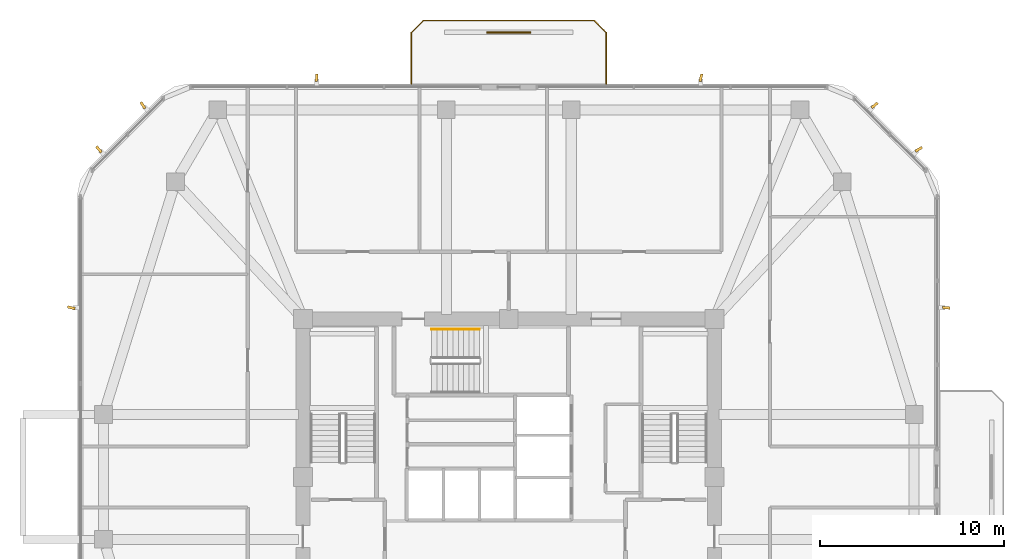
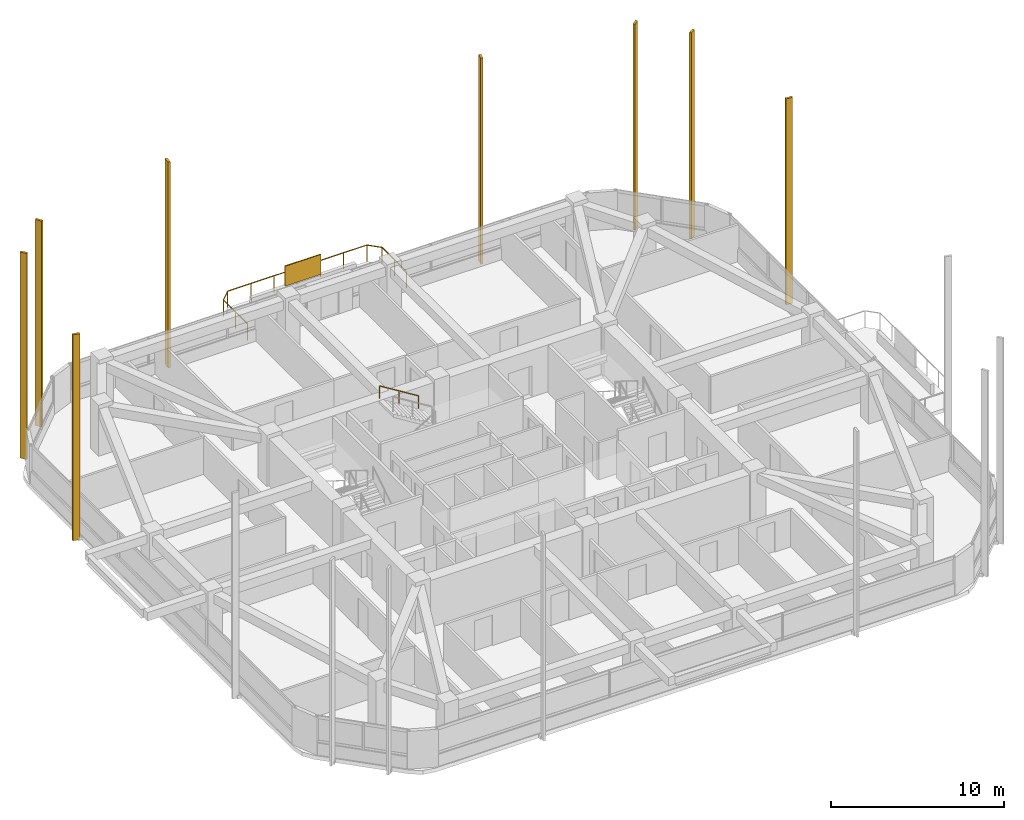
# One storey, part 14 of 14: 9 shading devices, 2 railings.
"""IFC4 building model written with IfcOpenShell, lengths in metres."""

import ifcopenshell
import ifcopenshell.guid

model = None  # the IFC model being written
_history = None  # IfcOwnerHistory: only IFC2X3 demands one
_inside = {}  # id of a spatial element -> (the spatial element, [elements in it])
_under = {}  # id of a project, library or spatial element -> (it, [spatial elements below it])
_declared = {}  # id of a project -> (the project, [libraries it declares])
_typed = {}  # id of a type object -> (the type object, [elements of that type])
_made_of = {}  # id of a material, layer set ... -> (it, [elements and type objects made of it])


def new_model(schema):
    """Start an empty IFC model of exactly this schema.

    Asked for "IFC4X3", IfcOpenShell would pick the latest addendum, in which some entities
    have other attributes; the version numbers below select the first issue.
    IFC2X3 requires an IfcOwnerHistory on every rooted entity: one is made here for all.
    """
    global model, _history
    if schema == "IFC4X3":
        model = ifcopenshell.file(schema_version=(4, 3, 0, 0))
    else:
        model = ifcopenshell.file(schema=schema)
    _inside.clear()
    _under.clear()
    _declared.clear()
    _typed.clear()
    _made_of.clear()
    _history = None
    if model.schema == "IFC2X3":
        org = make("IfcOrganization", Name="unknown")
        user = make(
            "IfcPersonAndOrganization",
            ThePerson=make("IfcPerson", FamilyName="unknown"),
            TheOrganization=org,
        )
        app = make(
            "IfcApplication",
            ApplicationDeveloper=org,
            Version="unknown",
            ApplicationFullName="unknown",
            ApplicationIdentifier="unknown",
        )
        _history = make(
            "IfcOwnerHistory",
            OwningUser=user,
            OwningApplication=app,
            ChangeAction="ADDED",
            CreationDate=0,
        )
    return model


def make(cls, **values):
    """One entity of the class cls with the attributes given. An attribute that is None is left unset."""
    return model.create_entity(
        cls, **{name: value for name, value in values.items() if value is not None}
    )


def rooted(cls, **values):
    """An entity with a GlobalId (a new one), such as an element, a storey or a relation."""
    return make(cls, GlobalId=ifcopenshell.guid.new(), OwnerHistory=_history, **values)


def si_unit(unit_type, name, prefix=None):
    """IfcSIUnit, for example si_unit("LENGTHUNIT", "METRE", prefix="MILLI")."""
    return make("IfcSIUnit", UnitType=unit_type, Prefix=prefix, Name=name)


def derived_unit(unit_type, elements):
    """IfcDerivedUnit: a product of units, each with its exponent."""
    return make(
        "IfcDerivedUnit",
        Elements=[
            make("IfcDerivedUnitElement", Unit=unit, Exponent=power)
            for unit, power in elements
        ],
        UnitType=unit_type,
    )


def assignment(units):
    """IfcUnitAssignment: the units of a project."""
    return None if units is None else make("IfcUnitAssignment", Units=units)


def point(xyz):
    """IfcCartesianPoint."""
    return None if xyz is None else make("IfcCartesianPoint", Coordinates=xyz)


def direction(xyz):
    """IfcDirection."""
    return None if xyz is None else make("IfcDirection", DirectionRatios=xyz)


def frame(location, z_axis=None, x_axis=None):
    """IfcAxis2Placement3D, a coordinate frame: its origin and axes. An axis left out is left unset."""
    return make(
        "IfcAxis2Placement3D",
        Location=point(location),
        Axis=direction(z_axis),
        RefDirection=direction(x_axis),
    )


def frame_2d(location, x_axis=None):
    """IfcAxis2Placement2D, a coordinate frame in the plane: its origin and x axis."""
    return make(
        "IfcAxis2Placement2D", Location=point(location), RefDirection=direction(x_axis)
    )


def origin():
    """The frame at (0, 0, 0) with its axes left unset."""
    return frame((0.0, 0.0, 0.0))


def origin_2d():
    """The frame at (0, 0) in the plane with its x axis left unset."""
    return frame_2d((0.0, 0.0))


def place(relative_to, where):
    """IfcLocalPlacement: puts the frame where relative to a parent placement (None: the world)."""
    return make(
        "IfcLocalPlacement", PlacementRelTo=relative_to, RelativePlacement=where
    )


def context(
    kind, dimensions, precision=None, world=None, true_north=None, identifier=None
):
    """IfcGeometricRepresentationContext, for example the 3D "Model" context."""
    return make(
        "IfcGeometricRepresentationContext",
        ContextIdentifier=identifier,
        ContextType=kind,
        CoordinateSpaceDimension=dimensions,
        Precision=precision,
        WorldCoordinateSystem=world,
        TrueNorth=true_north,
    )


def subcontext(parent, identifier, kind, view, scale=None):
    """IfcGeometricRepresentationSubContext, for example "Body" below "Model"."""
    return make(
        "IfcGeometricRepresentationSubContext",
        ContextIdentifier=identifier,
        ContextType=kind,
        ParentContext=parent,
        TargetScale=scale,
        TargetView=view,
    )


def project(units=None, contexts=None):
    """IfcProject with its units and contexts."""
    return rooted(
        "IfcProject",
        Name="project",
        RepresentationContexts=contexts,
        UnitsInContext=assignment(units),
    )


def spatial(cls, under=None, at=None, **own):
    """A site, building, storey or space (cls), placed at a placement, below another one or the project."""
    s = rooted(cls, ObjectPlacement=at, **own)
    if under is not None:
        _under.setdefault(under.id(), (under, []))[1].append(s)
    return s


def profile(cls, at=None, kind="AREA", **sizes):
    """A parametric profile (cls). Its sizes go by their IFC names, for example OverallWidth=200.0."""
    return make(cls, ProfileType=kind, Position=at, **sizes)


def rectangle(**sizes):
    """IfcRectangleProfileDef."""
    return profile("IfcRectangleProfileDef", **sizes)


def extrude(swept, where, along, depth):
    """IfcExtrudedAreaSolid: the profile swept, set in the frame where, extruded along a direction by depth."""
    return make(
        "IfcExtrudedAreaSolid",
        SweptArea=swept,
        Position=where,
        ExtrudedDirection=direction(along),
        Depth=depth,
    )


def shape(context_of_items, identifier, shape_type, items):
    """IfcShapeRepresentation: the items that make up one representation, for example the "Body"."""
    return make(
        "IfcShapeRepresentation",
        ContextOfItems=context_of_items,
        RepresentationIdentifier=identifier,
        RepresentationType=shape_type,
        Items=items,
    )


def material(Name=None, Category=None):
    """IfcMaterial."""
    return make("IfcMaterial", Name=Name, Category=Category)


def layer(
    of_material, thickness, ventilated=None, Name=None, Category=None, Priority=None
):
    """IfcMaterialLayer: one layer of a wall or slab, of a material (None: an air gap)."""
    return make(
        "IfcMaterialLayer",
        Material=of_material,
        LayerThickness=thickness,
        IsVentilated=ventilated,
        Name=Name,
        Category=Category,
        Priority=Priority,
    )


def layer_set(layers, Name=None):
    """IfcMaterialLayerSet."""
    return make("IfcMaterialLayerSet", MaterialLayers=layers, LayerSetName=Name)


def made_of(thing, what):
    """Note that an element or type object is made of a material, layer set ...; save() writes the relation."""
    if what is not None:
        _made_of.setdefault(what.id(), (what, []))[1].append(thing)
    return thing


def type_object(cls, material=None, **own):
    """A type object (cls), such as IfcWallType, which elements share."""
    return made_of(rooted(cls, **own), material)


def element(
    cls,
    number,
    at=None,
    inside=None,
    cuts=None,
    type_object=None,
    material=None,
    context=None,
    identifier="Body",
    shape_type=None,
    held_by="IfcProductDefinitionShape",
    body=None,
    shapes=None,
    **own,
):
    """One element of the class cls, such as IfcWall. Its Tag is "e" and its number.

    at: its placement. inside: the storey or other place that contains it. cuts: it is an
    opening in that element (IfcRelVoidsElement). A single representation is given by context,
    identifier, shape_type and body (its items); several are given by shapes. held_by: the class
    of the entity that holds the representations. save() writes the other relations.
    """
    e = rooted(cls, Tag="e%d" % number, ObjectPlacement=at, **own)
    if body is not None:
        shapes = [shape(context, identifier, shape_type, body)]
    if shapes is not None:
        e.Representation = make(held_by, Representations=shapes)
    if inside is not None:
        _inside.setdefault(inside.id(), (inside, []))[1].append(e)
    if cuts is not None:
        rooted(
            "IfcRelVoidsElement", RelatingBuildingElement=cuts, RelatedOpeningElement=e
        )
    if type_object is not None:
        _typed.setdefault(type_object.id(), (type_object, []))[1].append(e)
    return made_of(e, material)


def aggregate(whole, parts):
    """IfcRelAggregates: a whole, such as a stair, and the parts it consists of."""
    return rooted("IfcRelAggregates", RelatingObject=whole, RelatedObjects=parts)


def save(model, path):
    """Write the relations noted so far, then the file.

    IfcRelAggregates (storeys below a building ...), IfcRelContainedInSpatialStructure (elements
    in a storey), IfcRelDefinesByType, IfcRelAssociatesMaterial and IfcRelDeclares: one each for
    every whole, place, type object, material and project.
    """
    for whole, parts in _under.values():
        aggregate(whole, parts)
    for where, things in _inside.values():
        rooted(
            "IfcRelContainedInSpatialStructure",
            RelatedElements=things,
            RelatingStructure=where,
        )
    for kind, things in _typed.values():
        rooted("IfcRelDefinesByType", RelatedObjects=things, RelatingType=kind)
    for what, things in _made_of.values():
        rooted("IfcRelAssociatesMaterial", RelatedObjects=things, RelatingMaterial=what)
    for by, libraries in _declared.values():
        rooted("IfcRelDeclares", RelatingContext=by, RelatedDefinitions=libraries)
    model.write(path)


model = new_model("IFC4")

# Units and contexts
model_context = context("Model", 3, precision=1e-05, world=origin(), true_north=direction((0.0, 1.0)))
body_context = subcontext(model_context, "Body", "Model", "MODEL_VIEW")
ifc_project = project(units=[si_unit("LENGTHUNIT", "METRE"), si_unit("AREAUNIT", "SQUARE_METRE"), si_unit("VOLUMEUNIT", "CUBIC_METRE"), si_unit("PLANEANGLEUNIT", "RADIAN"), si_unit("MASSUNIT", "GRAM", prefix="KILO"), derived_unit("THERMALTRANSMITTANCEUNIT", [(si_unit("POWERUNIT", "WATT"), 1), (si_unit("LENGTHUNIT", "METRE"), -2), (si_unit("THERMODYNAMICTEMPERATUREUNIT", "KELVIN"), -1)])], contexts=[model_context])

# Site, building, storey
site_placement = place(None, origin())
site = spatial("IfcSite", under=ifc_project, at=site_placement, CompositionType="ELEMENT")
building_placement = place(site_placement, origin())
building = spatial("IfcBuilding", under=site, at=building_placement, Name="Koralith Skygarden Medical Center", CompositionType="ELEMENT")
storey_placement = place(building_placement, frame((0.0, 0.0, 145.6201171875)))
storey = spatial("IfcBuildingStorey", under=building, at=storey_placement, Name="L37", CompositionType="ELEMENT", Elevation=145.6201171875)

# Shading devices
ifc_material_1 = material(Name="Aluminium 6063-T6", Category="aluminium")
shading_device_type_1 = type_object("IfcShadingDeviceType", Name="Limestone-Clad Solar Storm Fin 420", PredefinedType="USERDEFINED", material=ifc_material_1)
for number, where, z_axis, x_axis, name in (
    (1, (60.81396484375, 35.110107421875, -0.2001953125), (0.0, 0.0, 1.0), (0.996229604384, -0.086755837554, 0.0), "L37 E Harmonic Solar Storm Fin 2"),
    (2, (59.31591796875, 43.73388671875, -0.2001953125), (0.0, 0.0, 1.0), (0.848870219107, 0.528601315846, 0.0), "L37 NE Harmonic Solar Storm Fin 1"),
    (3, (56.91796875, 46.132080078125, -0.2001953125), (0.0, 0.0, 1.0), (0.765786349921, 0.643095067836, 0.0), "L37 NE Harmonic Solar Storm Fin 2"),
    (4, (47.4599609375, 47.6298828125, -0.2001953125), (0.0, 0.0, 1.0), (0.226464313299, 0.974019463256, 0.0), "L37 N Harmonic Solar Storm Fin 1"),
    (5, (26.5400390625, 47.6298828125, -0.2001953125), (0.0, 0.0, 1.0), (0.086755837554, 0.996229604384, 0.0), "L37 N Harmonic Solar Storm Fin 2"),
    (6, (17.08203125, 46.132080078125, -0.2001953125), (0.0, 0.0, 1.0), (-0.528601315846, 0.848870219107, 0.0), "L37 NW Harmonic Solar Storm Fin 1"),
    (7, (14.68408203125, 43.73388671875, -0.2001953125), (0.0, 0.0, 1.0), (-0.643095067836, 0.765786349921, 0.0), "L37 NW Harmonic Solar Storm Fin 2"),
    (8, (13.18603515625, 35.110107421875, -0.2001953125), (0.0, 0.0, 1.0), (-0.974019463256, 0.226464313299, 0.0), "L37 W Harmonic Solar Storm Fin 1"),
):
    element("IfcShadingDevice", number, at=place(storey_placement, frame(where, z_axis=z_axis, x_axis=x_axis)), inside=storey, type_object=shading_device_type_1, Name=name, ObjectType="SOLAR FIN", PredefinedType="USERDEFINED", context=body_context, shape_type="SweptSolid", body=[
        extrude(rectangle(XDim=0.419921875, YDim=0.139892578125, at=origin_2d()), origin(), (0.0, 0.0, 1.0), 14.550048828125),
    ])

# Railing
ifc_material_2 = material(Name="Steel ASTM A500 Grade C", Category="steel")
railing_type_1 = type_object("IfcRailingType", Name="Outdoor Terrace & Balcony Safety Guardrail 1180", PredefinedType="GUARDRAIL", material=ifc_material_2)
railing_1_placement = place(storey_placement, frame((42.300048828125, 47.300048828125, 0.0)))
element("IfcRailing", 9, at=railing_1_placement, inside=storey, type_object=railing_type_1, Name="L37 N Balcony Perimeter Guardrail", PredefinedType="GUARDRAIL", context=body_context, shape_type="SweptSolid", body=[
    extrude(rectangle(XDim=0.050048828125, YDim=0.050048828125, at=origin_2d()), frame((0.0, 0.001953125, 1.15478515625), z_axis=(0.0, 1.0, 0.0), x_axis=(-1.0, 0.0, 0.0)), (0.0, 0.0, 1.0), 2.796142578125),
    extrude(rectangle(XDim=0.050048828125, YDim=0.050048828125, at=origin_2d()), frame((-0.00146484375, 2.801513671875, 1.15478515625), z_axis=(-0.707239558722, 0.706973978714, 0.0), x_axis=(-0.706973978714, -0.707239558722, 0.0)), (0.0, 0.0, 1.0), 0.915283203125),
    extrude(rectangle(XDim=0.050048828125, YDim=0.050048828125, at=origin_2d()), frame((-0.652099609375, 3.449951171875, 1.15478515625), z_axis=(-1.0, 0.0, 0.0), x_axis=(0.0, -1.0, 0.0)), (0.0, 0.0, 1.0), 9.2958984375),
    extrude(rectangle(XDim=0.050048828125, YDim=0.050048828125, at=origin_2d()), frame((-9.951416015625, 3.448486328125, 1.15478515625), z_axis=(-0.707239558722, -0.706973978714, 0.0), x_axis=(0.706973978714, -0.707239558722, 0.0)), (0.0, 0.0, 1.0), 0.915283203125),
    extrude(rectangle(XDim=0.050048828125, YDim=0.050048828125, at=origin_2d()), frame((-10.60009765625, 2.798095703125, 1.15478515625), z_axis=(0.0, -1.0, 0.0), x_axis=(1.0, 0.0, 0.0)), (0.0, 0.0, 1.0), 2.796142578125),
    extrude(rectangle(XDim=0.0419921875, YDim=0.0419921875, at=origin_2d()), origin(), (0.0, 0.0, 1.0), 1.1279296875),
    extrude(rectangle(XDim=0.0419921875, YDim=0.0419921875, at=origin_2d()), frame((0.0, 1.39990234375, 0.0)), (0.0, 0.0, 1.0), 1.1279296875),
    extrude(rectangle(XDim=0.0419921875, YDim=0.0419921875, at=origin_2d()), frame((0.0, 2.800048828125, 0.0)), (0.0, 0.0, 1.0), 1.1279296875),
    extrude(rectangle(XDim=0.0419921875, YDim=0.0419921875, at=origin_2d()), frame((-0.650146484375, 3.449951171875, 0.0)), (0.0, 0.0, 1.0), 1.1279296875),
    extrude(rectangle(XDim=0.0419921875, YDim=0.0419921875, at=origin_2d()), frame((-2.2001953125, 3.449951171875, 0.0)), (0.0, 0.0, 1.0), 1.1279296875),
    extrude(rectangle(XDim=0.0419921875, YDim=0.0419921875, at=origin_2d()), frame((-3.75, 3.449951171875, 0.0)), (0.0, 0.0, 1.0), 1.1279296875),
    extrude(rectangle(XDim=0.0419921875, YDim=0.0419921875, at=origin_2d()), frame((-5.300048828125, 3.449951171875, 0.0)), (0.0, 0.0, 1.0), 1.1279296875),
    extrude(rectangle(XDim=0.0419921875, YDim=0.0419921875, at=origin_2d()), frame((-6.85009765625, 3.449951171875, 0.0)), (0.0, 0.0, 1.0), 1.1279296875),
    extrude(rectangle(XDim=0.0419921875, YDim=0.0419921875, at=origin_2d()), frame((-8.39990234375, 3.449951171875, 0.0)), (0.0, 0.0, 1.0), 1.1279296875),
    extrude(rectangle(XDim=0.0419921875, YDim=0.0419921875, at=origin_2d()), frame((-9.949951171875, 3.449951171875, 0.0)), (0.0, 0.0, 1.0), 1.1279296875),
    extrude(rectangle(XDim=0.0419921875, YDim=0.0419921875, at=origin_2d()), frame((-10.60009765625, 2.800048828125, 0.0)), (0.0, 0.0, 1.0), 1.1279296875),
    extrude(rectangle(XDim=0.0419921875, YDim=0.0419921875, at=origin_2d()), frame((-10.60009765625, 1.39990234375, 0.0)), (0.0, 0.0, 1.0), 1.1279296875),
    extrude(rectangle(XDim=0.0419921875, YDim=0.0419921875, at=origin_2d()), frame((-10.60009765625, 0.0, 0.0)), (0.0, 0.0, 1.0), 1.1279296875),
])

# Shading device
ifc_layer = layer(ifc_material_1, 0.080078125)
ifc_layer_set = layer_set([ifc_layer], Name="Aluminium 6063-T6")
shading_device_type_2 = type_object("IfcShadingDeviceType", Name="Perforated Biophilic Balcony Trellis Screen", PredefinedType="USERDEFINED", material=ifc_layer_set)
shading_device_placement = place(storey_placement, frame((37.0, 50.10009765625, 0.719970703125), z_axis=(0.0, 0.0, 1.0), x_axis=(1.0, 0.0, 0.0)))
element("IfcShadingDevice", 10, at=shading_device_placement, inside=storey, type_object=shading_device_type_2, Name="L37 N Biophilic Balcony Trellis Screen", ObjectType="HURRICANE SCREEN", PredefinedType="USERDEFINED", context=body_context, shape_type="SweptSolid", body=[
    extrude(rectangle(XDim=2.39990234375, YDim=0.080078125, at=origin_2d()), origin(), (0.0, 0.0, 1.0), 1.39990234375),
])

# Railing
railing_type_2 = type_object("IfcRailingType", Name="Stair Flight Tubular Handrail 920", PredefinedType="HANDRAIL", material=ifc_material_2)
railing_2_placement = place(storey_placement, frame((35.409912109375, 33.949951171875, 1.97998046875)))
element("IfcRailing", 11, at=railing_2_placement, inside=storey, type_object=railing_type_2, Name="L37 ST3 stair handrail 2", PredefinedType="HANDRAIL", context=body_context, shape_type="SweptSolid", body=[
    extrude(rectangle(XDim=0.050048828125, YDim=0.050048828125, at=origin_2d()), frame((-0.001708984375, 0.0, 0.89599609375), z_axis=(-0.849646306263, 0.0, 0.527352969322), x_axis=(0.0, -1.0, 0.0)), (0.0, 0.0, 1.0), 3.067626953125),
    extrude(rectangle(XDim=0.0419921875, YDim=0.0419921875, at=origin_2d()), origin(), (0.0, 0.0, 1.0), 0.867919921875),
    extrude(rectangle(XDim=0.0419921875, YDim=0.0419921875, at=origin_2d()), frame((-1.304931640625, 0.0, 0.81005859375)), (0.0, 0.0, 1.0), 0.867919921875),
    extrude(rectangle(XDim=0.0419921875, YDim=0.0419921875, at=origin_2d()), frame((-2.60986328125, 0.0, 1.619873046875)), (0.0, 0.0, 1.0), 0.867919921875),
])

save(model, "model.ifc")
